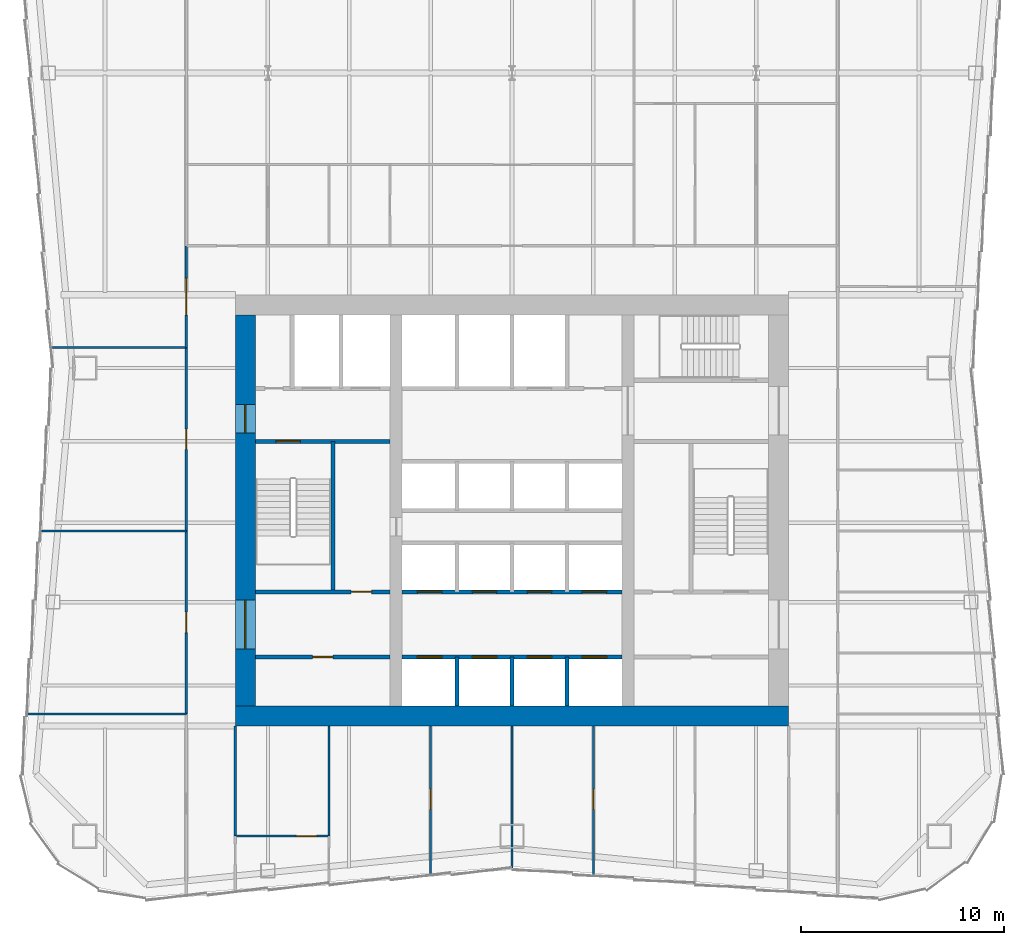
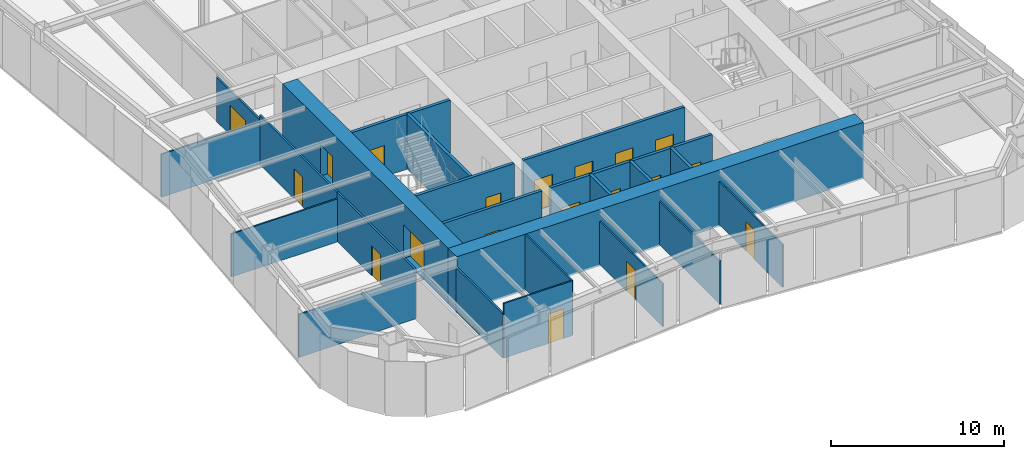
# One storey, part 4 of 8: 23 walls, 19 doors, 19 openings.
"""IFC4 building model written with IfcOpenShell, lengths in metres."""

from ifc_helpers import new_model, si_unit, direction, frame, frame_2d, origin, place, context, subcontext, project, spatial, rectangle, extrude, material, layer, layer_set, type_object, element, fill, save


model = new_model("IFC4")

# Units and contexts
model_context = context("Model", 3, precision=1e-05, world=origin(), true_north=direction((0.0, 1.0)))
body_context = subcontext(model_context, "Body", "Model", "MODEL_VIEW")
ifc_project = project(units=[si_unit("LENGTHUNIT", "METRE"), si_unit("AREAUNIT", "SQUARE_METRE"), si_unit("VOLUMEUNIT", "CUBIC_METRE"), si_unit("PLANEANGLEUNIT", "RADIAN"), si_unit("MASSUNIT", "GRAM", prefix="KILO")], contexts=[model_context])

# Site, building, storey
site_placement = place(None, origin())
site = spatial("IfcSite", under=ifc_project, at=site_placement, CompositionType="ELEMENT")
building_placement = place(site_placement, origin())
building = spatial("IfcBuilding", under=site, at=building_placement, Name="Verdant Reach Tower", CompositionType="ELEMENT")
storey_placement = place(building_placement, frame((0.0, 0.0, 158.0)))
storey = spatial("IfcBuildingStorey", under=building, at=storey_placement, Name="L36", CompositionType="ELEMENT", Elevation=158.0)

# Wall, opening, door
ifc_material_1 = material(Name="Gypsum board on steel studs", Category="steel")
ifc_layer_1 = layer(ifc_material_1, 0.199951171875)
ifc_layer_set_1 = layer_set([ifc_layer_1], Name="CO-WALL-ROOM")
wall_type_1 = type_object("IfcWallType", Name="CO-WALL-ROOM", PredefinedType="PARTITIONING", material=ifc_layer_set_1)
wall_1_placement = place(storey_placement, frame((-12.60009765625, 20.800048828125, 0.0), z_axis=(0.0, 0.0, 1.0), x_axis=(1.0, 0.0, 0.0)))
wall_1 = element("IfcWall", 1, at=wall_1_placement, inside=storey, type_object=wall_type_1, Name="Core partition, L36", PredefinedType="PARTITIONING", context=body_context, shape_type="SweptSolid", body=[
    extrude(rectangle(XDim=6.60009765625, YDim=0.199951171875, at=frame_2d((3.300048828125, 0.0))), origin(), (0.0, 0.0, 1.0), 3.8701171875),
])
opening_1_placement = place(wall_1_placement, frame((2.800048828125, 0.0, 0.0)))
opening_1 = element("IfcOpeningElement", 2, at=opening_1_placement, cuts=wall_1, Name="Opening CD", PredefinedType="OPENING", context=body_context, shape_type="SweptSolid", body=[
    extrude(rectangle(XDim=1.0, YDim=2.10009765625, at=frame_2d((0.5, 1.050048828125))), frame((0.0, 0.10986328125, 0.0), z_axis=(0.0, -1.0, 0.0), x_axis=(1.0, 0.0, 0.0)), (0.0, 0.0, 1.0), 0.219970703125),
])
ifc_material_2 = material(Name="Timber", Category="wood")
door_type_1 = type_object("IfcDoorType", Name="CO-DOOR-ROOM", OperationType="NOTDEFINED", PredefinedType="DOOR", material=ifc_material_2)
door_1_placement = place(opening_1_placement, origin())
door_1 = element("IfcDoor", 3, at=door_1_placement, inside=storey, type_object=door_type_1, Name="Core room door, L36", OperationType="SINGLE_SWING_LEFT", OverallHeight=2.10009765625, OverallWidth=1.0, PredefinedType="DOOR", context=body_context, shape_type="SweptSolid", body=[
    extrude(rectangle(XDim=1.0, YDim=2.10009765625, at=frame_2d((0.5, 1.050048828125))), frame((0.0, 0.02490234375, 0.0), z_axis=(0.0, -1.0, 0.0), x_axis=(1.0, 0.0, 0.0)), (0.0, 0.0, 1.0), 0.050048828125),
])
fill(opening_1, door_1)

# Wall, openings, doors
ifc_material_3 = material(Name="Concrete C40/50", Category="concrete")
ifc_layer_2 = layer(ifc_material_3, 0.199951171875)
ifc_layer_set_2 = layer_set([ifc_layer_2], Name="CO-WALL-SHAFT")
wall_type_2 = type_object("IfcWallType", Name="CO-WALL-SHAFT", PredefinedType="PARTITIONING", material=ifc_layer_set_2)
wall_2_placement = place(storey_placement, frame((-5.39990234375, 20.800048828125, 0.0), z_axis=(0.0, 0.0, 1.0), x_axis=(1.0, 0.0, 0.0)))
wall_2 = element("IfcWall", 4, at=wall_2_placement, inside=storey, type_object=wall_type_2, Name="Lift shaft wall, L36", PredefinedType="PARTITIONING", context=body_context, shape_type="SweptSolid", body=[
    extrude(rectangle(XDim=10.7998046875, YDim=0.199951171875, at=frame_2d((5.39990234375, 0.0))), origin(), (0.0, 0.0, 1.0), 3.8701171875),
])
opening_2_placement = place(wall_2_placement, frame((0.75, 0.0, 0.0)))
opening_2 = element("IfcOpeningElement", 5, at=opening_2_placement, cuts=wall_2, Name="Opening LD-A1", PredefinedType="OPENING", context=body_context, shape_type="SweptSolid", body=[
    extrude(rectangle(XDim=1.199951171875, YDim=2.199951171875, at=frame_2d((0.60009765625, 1.10009765625))), frame((0.0, 0.10986328125, 0.0), z_axis=(0.0, -1.0, 0.0), x_axis=(1.0, 0.0, 0.0)), (0.0, 0.0, 1.0), 0.219970703125),
])
opening_3_placement = place(wall_2_placement, frame((3.449951171875, 0.0, 0.0)))
opening_3 = element("IfcOpeningElement", 6, at=opening_3_placement, cuts=wall_2, Name="Opening LD-A2", PredefinedType="OPENING", context=body_context, shape_type="SweptSolid", body=[
    extrude(rectangle(XDim=1.199951171875, YDim=2.199951171875, at=frame_2d((0.60009765625, 1.10009765625))), frame((0.0, 0.10986328125, 0.0), z_axis=(0.0, -1.0, 0.0), x_axis=(1.0, 0.0, 0.0)), (0.0, 0.0, 1.0), 0.219970703125),
])
opening_4_placement = place(wall_2_placement, frame((6.14990234375, 0.0, 0.0)))
opening_4 = element("IfcOpeningElement", 7, at=opening_4_placement, cuts=wall_2, Name="Opening LD-A3", PredefinedType="OPENING", context=body_context, shape_type="SweptSolid", body=[
    extrude(rectangle(XDim=1.199951171875, YDim=2.199951171875, at=frame_2d((0.60009765625, 1.10009765625))), frame((0.0, 0.10986328125, 0.0), z_axis=(0.0, -1.0, 0.0), x_axis=(1.0, 0.0, 0.0)), (0.0, 0.0, 1.0), 0.219970703125),
])
opening_5_placement = place(wall_2_placement, frame((8.85009765625, 0.0, 0.0)))
opening_5 = element("IfcOpeningElement", 8, at=opening_5_placement, cuts=wall_2, Name="Opening LD-A4", PredefinedType="OPENING", context=body_context, shape_type="SweptSolid", body=[
    extrude(rectangle(XDim=1.199951171875, YDim=2.199951171875, at=frame_2d((0.60009765625, 1.10009765625))), frame((0.0, 0.10986328125, 0.0), z_axis=(0.0, -1.0, 0.0), x_axis=(1.0, 0.0, 0.0)), (0.0, 0.0, 1.0), 0.219970703125),
])
ifc_material_4 = material(Name="Stainless steel", Category="steel")
door_type_2 = type_object("IfcDoorType", Name="CO-DOOR-LANDING", OperationType="SLIDING_TO_LEFT", PredefinedType="DOOR", material=ifc_material_4)
door_2_placement = place(opening_2_placement, origin())
door_2 = element("IfcDoor", 9, at=door_2_placement, inside=storey, type_object=door_type_2, Name="Landing door A1, L36", OperationType="SLIDING_TO_LEFT", OverallHeight=2.199951171875, OverallWidth=1.199951171875, PredefinedType="DOOR", context=body_context, shape_type="SweptSolid", body=[
    extrude(rectangle(XDim=1.199951171875, YDim=2.199951171875, at=frame_2d((0.60009765625, 1.10009765625))), frame((0.0, 0.02490234375, 0.0), z_axis=(0.0, -1.0, 0.0), x_axis=(1.0, 0.0, 0.0)), (0.0, 0.0, 1.0), 0.050048828125),
])
fill(opening_2, door_2)
door_3_placement = place(opening_3_placement, origin())
door_3 = element("IfcDoor", 10, at=door_3_placement, inside=storey, type_object=door_type_2, Name="Landing door A2, L36", OperationType="SLIDING_TO_LEFT", OverallHeight=2.199951171875, OverallWidth=1.199951171875, PredefinedType="DOOR", context=body_context, shape_type="SweptSolid", body=[
    extrude(rectangle(XDim=1.199951171875, YDim=2.199951171875, at=frame_2d((0.60009765625, 1.10009765625))), frame((0.0, 0.02490234375, 0.0), z_axis=(0.0, -1.0, 0.0), x_axis=(1.0, 0.0, 0.0)), (0.0, 0.0, 1.0), 0.050048828125),
])
fill(opening_3, door_3)
door_4_placement = place(opening_4_placement, origin())
door_4 = element("IfcDoor", 11, at=door_4_placement, inside=storey, type_object=door_type_2, Name="Landing door A3, L36", OperationType="SLIDING_TO_LEFT", OverallHeight=2.199951171875, OverallWidth=1.199951171875, PredefinedType="DOOR", context=body_context, shape_type="SweptSolid", body=[
    extrude(rectangle(XDim=1.199951171875, YDim=2.199951171875, at=frame_2d((0.60009765625, 1.10009765625))), frame((0.0, 0.02490234375, 0.0), z_axis=(0.0, -1.0, 0.0), x_axis=(1.0, 0.0, 0.0)), (0.0, 0.0, 1.0), 0.050048828125),
])
fill(opening_4, door_4)
door_5_placement = place(opening_5_placement, origin())
door_5 = element("IfcDoor", 12, at=door_5_placement, inside=storey, type_object=door_type_2, Name="Landing door A4, L36", OperationType="SLIDING_TO_LEFT", OverallHeight=2.199951171875, OverallWidth=1.199951171875, PredefinedType="DOOR", context=body_context, shape_type="SweptSolid", body=[
    extrude(rectangle(XDim=1.199951171875, YDim=2.199951171875, at=frame_2d((0.60009765625, 1.10009765625))), frame((0.0, 0.02490234375, 0.0), z_axis=(0.0, -1.0, 0.0), x_axis=(1.0, 0.0, 0.0)), (0.0, 0.0, 1.0), 0.050048828125),
])
fill(opening_5, door_5)

wall_3_placement = place(storey_placement, frame((-5.39990234375, 24.0, 0.0), z_axis=(0.0, 0.0, 1.0), x_axis=(1.0, 0.0, 0.0)))
wall_3 = element("IfcWall", 13, at=wall_3_placement, inside=storey, type_object=wall_type_2, Name="Lift shaft wall, L36", PredefinedType="PARTITIONING", context=body_context, shape_type="SweptSolid", body=[
    extrude(rectangle(XDim=10.7998046875, YDim=0.199951171875, at=frame_2d((5.39990234375, 0.0))), origin(), (0.0, 0.0, 1.0), 3.8701171875),
])
opening_6_placement = place(wall_3_placement, frame((0.75, 0.0, 0.0)))
opening_6 = element("IfcOpeningElement", 14, at=opening_6_placement, cuts=wall_3, Name="Opening LD-A5", PredefinedType="OPENING", context=body_context, shape_type="SweptSolid", body=[
    extrude(rectangle(XDim=1.199951171875, YDim=2.199951171875, at=frame_2d((0.60009765625, 1.10009765625))), frame((0.0, 0.10986328125, 0.0), z_axis=(0.0, -1.0, 0.0), x_axis=(1.0, 0.0, 0.0)), (0.0, 0.0, 1.0), 0.219970703125),
])
opening_7_placement = place(wall_3_placement, frame((3.449951171875, 0.0, 0.0)))
opening_7 = element("IfcOpeningElement", 15, at=opening_7_placement, cuts=wall_3, Name="Opening LD-A6", PredefinedType="OPENING", context=body_context, shape_type="SweptSolid", body=[
    extrude(rectangle(XDim=1.199951171875, YDim=2.199951171875, at=frame_2d((0.60009765625, 1.10009765625))), frame((0.0, 0.10986328125, 0.0), z_axis=(0.0, -1.0, 0.0), x_axis=(1.0, 0.0, 0.0)), (0.0, 0.0, 1.0), 0.219970703125),
])
opening_8_placement = place(wall_3_placement, frame((6.14990234375, 0.0, 0.0)))
opening_8 = element("IfcOpeningElement", 16, at=opening_8_placement, cuts=wall_3, Name="Opening LD-A7", PredefinedType="OPENING", context=body_context, shape_type="SweptSolid", body=[
    extrude(rectangle(XDim=1.199951171875, YDim=2.199951171875, at=frame_2d((0.60009765625, 1.10009765625))), frame((0.0, 0.10986328125, 0.0), z_axis=(0.0, -1.0, 0.0), x_axis=(1.0, 0.0, 0.0)), (0.0, 0.0, 1.0), 0.219970703125),
])
opening_9_placement = place(wall_3_placement, frame((8.85009765625, 0.0, 0.0)))
opening_9 = element("IfcOpeningElement", 17, at=opening_9_placement, cuts=wall_3, Name="Opening LD-A8", PredefinedType="OPENING", context=body_context, shape_type="SweptSolid", body=[
    extrude(rectangle(XDim=1.199951171875, YDim=2.199951171875, at=frame_2d((0.60009765625, 1.10009765625))), frame((0.0, 0.10986328125, 0.0), z_axis=(0.0, -1.0, 0.0), x_axis=(1.0, 0.0, 0.0)), (0.0, 0.0, 1.0), 0.219970703125),
])
door_6_placement = place(opening_6_placement, origin())
door_6 = element("IfcDoor", 18, at=door_6_placement, inside=storey, type_object=door_type_2, Name="Landing door A5, L36", OperationType="SLIDING_TO_LEFT", OverallHeight=2.199951171875, OverallWidth=1.199951171875, PredefinedType="DOOR", context=body_context, shape_type="SweptSolid", body=[
    extrude(rectangle(XDim=1.199951171875, YDim=2.199951171875, at=frame_2d((0.60009765625, 1.10009765625))), frame((0.0, 0.02490234375, 0.0), z_axis=(0.0, -1.0, 0.0), x_axis=(1.0, 0.0, 0.0)), (0.0, 0.0, 1.0), 0.050048828125),
])
fill(opening_6, door_6)
door_7_placement = place(opening_7_placement, origin())
door_7 = element("IfcDoor", 19, at=door_7_placement, inside=storey, type_object=door_type_2, Name="Landing door A6, L36", OperationType="SLIDING_TO_LEFT", OverallHeight=2.199951171875, OverallWidth=1.199951171875, PredefinedType="DOOR", context=body_context, shape_type="SweptSolid", body=[
    extrude(rectangle(XDim=1.199951171875, YDim=2.199951171875, at=frame_2d((0.60009765625, 1.10009765625))), frame((0.0, 0.02490234375, 0.0), z_axis=(0.0, -1.0, 0.0), x_axis=(1.0, 0.0, 0.0)), (0.0, 0.0, 1.0), 0.050048828125),
])
fill(opening_7, door_7)
door_8_placement = place(opening_8_placement, origin())
door_8 = element("IfcDoor", 20, at=door_8_placement, inside=storey, type_object=door_type_2, Name="Landing door A7, L36", OperationType="SLIDING_TO_LEFT", OverallHeight=2.199951171875, OverallWidth=1.199951171875, PredefinedType="DOOR", context=body_context, shape_type="SweptSolid", body=[
    extrude(rectangle(XDim=1.199951171875, YDim=2.199951171875, at=frame_2d((0.60009765625, 1.10009765625))), frame((0.0, 0.02490234375, 0.0), z_axis=(0.0, -1.0, 0.0), x_axis=(1.0, 0.0, 0.0)), (0.0, 0.0, 1.0), 0.050048828125),
])
fill(opening_8, door_8)
door_9_placement = place(opening_9_placement, origin())
door_9 = element("IfcDoor", 21, at=door_9_placement, inside=storey, type_object=door_type_2, Name="Landing door A8, L36", OperationType="SLIDING_TO_LEFT", OverallHeight=2.199951171875, OverallWidth=1.199951171875, PredefinedType="DOOR", context=body_context, shape_type="SweptSolid", body=[
    extrude(rectangle(XDim=1.199951171875, YDim=2.199951171875, at=frame_2d((0.60009765625, 1.10009765625))), frame((0.0, 0.02490234375, 0.0), z_axis=(0.0, -1.0, 0.0), x_axis=(1.0, 0.0, 0.0)), (0.0, 0.0, 1.0), 0.050048828125),
])
fill(opening_9, door_9)

# Walls
for number, where, z_axis, x_axis, name in (
    (22, (-2.699951171875, 18.39990234375, 0.0), (0.0, 0.0, 1.0), (0.0, 1.0, 0.0), "Lift shaft wall, L36"),
    (23, (0.0, 18.39990234375, 0.0), (0.0, 0.0, 1.0), (0.0, 1.0, 0.0), "Lift shaft wall, L36"),
    (24, (2.699951171875, 18.39990234375, 0.0), (0.0, 0.0, 1.0), (0.0, 1.0, 0.0), "Lift shaft wall, L36"),
):
    element("IfcWall", number, at=place(storey_placement, frame(where, z_axis=z_axis, x_axis=x_axis)), inside=storey, type_object=wall_type_2, Name=name, PredefinedType="PARTITIONING", context=body_context, shape_type="SweptSolid", body=[
        extrude(rectangle(XDim=2.400146484375, YDim=0.199951171875, at=frame_2d((1.2001953125, 0.0))), origin(), (0.0, 0.0, 1.0), 3.8701171875),
    ])

# Wall, opening, door
ifc_layer_3 = layer(ifc_material_3, 0.199951171875)
ifc_layer_set_3 = layer_set([ifc_layer_3], Name="CO-WALL-STAIR")
wall_type_3 = type_object("IfcWallType", Name="CO-WALL-STAIR", PredefinedType="PARTITIONING", material=ifc_layer_set_3)
wall_4_placement = place(storey_placement, frame((-12.60009765625, 24.0, 0.0), z_axis=(0.0, 0.0, 1.0), x_axis=(1.0, 0.0, 0.0)))
wall_4 = element("IfcWall", 25, at=wall_4_placement, inside=storey, type_object=wall_type_3, Name="Stair enclosure wall, L36", PredefinedType="PARTITIONING", context=body_context, shape_type="SweptSolid", body=[
    extrude(rectangle(XDim=6.60009765625, YDim=0.199951171875, at=frame_2d((3.300048828125, 0.0))), origin(), (0.0, 0.0, 1.0), 3.8701171875),
])
opening_10_placement = place(wall_4_placement, frame((4.699951171875, 0.0, 0.0)))
opening_10 = element("IfcOpeningElement", 26, at=opening_10_placement, cuts=wall_4, Name="Opening CD", PredefinedType="OPENING", context=body_context, shape_type="SweptSolid", body=[
    extrude(rectangle(XDim=1.0, YDim=2.10009765625, at=frame_2d((0.5, 1.050048828125))), frame((0.0, 0.10986328125, 0.0), z_axis=(0.0, -1.0, 0.0), x_axis=(1.0, 0.0, 0.0)), (0.0, 0.0, 1.0), 0.219970703125),
])
door_10_placement = place(opening_10_placement, origin())
door_10 = element("IfcDoor", 27, at=door_10_placement, inside=storey, type_object=door_type_1, Name="Core room door, L36", OperationType="SINGLE_SWING_RIGHT", OverallHeight=2.10009765625, OverallWidth=1.0, PredefinedType="DOOR", context=body_context, shape_type="SweptSolid", body=[
    extrude(rectangle(XDim=1.0, YDim=2.10009765625, at=frame_2d((0.5, 1.050048828125))), frame((0.0, 0.02490234375, 0.0), z_axis=(0.0, -1.0, 0.0), x_axis=(1.0, 0.0, 0.0)), (0.0, 0.0, 1.0), 0.050048828125),
])
fill(opening_10, door_10)

wall_5_placement = place(storey_placement, frame((-12.60009765625, 31.39990234375, 0.0), z_axis=(0.0, 0.0, 1.0), x_axis=(1.0, 0.0, 0.0)))
wall_5 = element("IfcWall", 28, at=wall_5_placement, inside=storey, type_object=wall_type_3, Name="Stair enclosure wall, L36", PredefinedType="PARTITIONING", context=body_context, shape_type="SweptSolid", body=[
    extrude(rectangle(XDim=6.60009765625, YDim=0.199951171875, at=frame_2d((3.300048828125, 0.0))), origin(), (0.0, 0.0, 1.0), 3.8701171875),
])
opening_11_placement = place(wall_5_placement, frame((1.0, 0.0, 0.0)))
opening_11 = element("IfcOpeningElement", 29, at=opening_11_placement, cuts=wall_5, Name="Opening SD", PredefinedType="OPENING", context=body_context, shape_type="SweptSolid", body=[
    extrude(rectangle(XDim=1.199951171875, YDim=2.199951171875, at=frame_2d((0.60009765625, 1.10009765625))), frame((0.0, 0.10986328125, 0.0), z_axis=(0.0, -1.0, 0.0), x_axis=(1.0, 0.0, 0.0)), (0.0, 0.0, 1.0), 0.219970703125),
])
ifc_material_5 = material(Name="Steel", Category="steel")
door_type_3 = type_object("IfcDoorType", Name="CO-DOOR-STAIR", OperationType="NOTDEFINED", PredefinedType="DOOR", material=ifc_material_5)
door_11_placement = place(opening_11_placement, origin())
door_11 = element("IfcDoor", 30, at=door_11_placement, inside=storey, type_object=door_type_3, Name="Stair door, L36", OperationType="SINGLE_SWING_RIGHT", OverallHeight=2.199951171875, OverallWidth=1.199951171875, PredefinedType="DOOR", context=body_context, shape_type="SweptSolid", body=[
    extrude(rectangle(XDim=1.199951171875, YDim=2.199951171875, at=frame_2d((0.60009765625, 1.10009765625))), frame((0.0, 0.02490234375, 0.0), z_axis=(0.0, -1.0, 0.0), x_axis=(1.0, 0.0, 0.0)), (0.0, 0.0, 1.0), 0.050048828125),
])
fill(opening_11, door_11)

# Walls
wall_6_placement = place(storey_placement, frame((-8.800048828125, 24.0, 0.0), z_axis=(0.0, 0.0, 1.0), x_axis=(0.0, 1.0, 0.0)))
element("IfcWall", 31, at=wall_6_placement, inside=storey, type_object=wall_type_3, Name="Stair enclosure wall, L36", PredefinedType="PARTITIONING", context=body_context, shape_type="SweptSolid", body=[
    extrude(rectangle(XDim=7.39990234375, YDim=0.199951171875, at=frame_2d((3.699951171875, 0.0))), origin(), (0.0, 0.0, 1.0), 3.8701171875),
])
ifc_layer_4 = layer(ifc_material_1, 0.10009765625)
ifc_layer_set_4 = layer_set([ifc_layer_4], Name="FL-W1 Partition 100")
wall_type_4 = type_object("IfcWallType", Name="FL-W1 Partition 100", PredefinedType="PARTITIONING", material=ifc_layer_set_4)
wall_7_placement = place(storey_placement, frame((-16.0, 18.0, 0.0), z_axis=(0.0, 0.0, 1.0), x_axis=(-1.0, 0.0, 0.0)))
element("IfcWall", 32, at=wall_7_placement, inside=storey, type_object=wall_type_4, Name="Partition 36.22", PredefinedType="PARTITIONING", context=body_context, shape_type="SweptSolid", body=[
    extrude(rectangle(XDim=7.85498046875, YDim=0.10009765625, at=frame_2d((3.927490234375, 0.0))), origin(), (0.0, 0.0, 1.0), 3.0400390625),
])
wall_8_placement = place(storey_placement, frame((-16.0, 27.0, 0.0), z_axis=(0.0, 0.0, 1.0), x_axis=(-1.0, 0.0, 0.0)))
element("IfcWall", 33, at=wall_8_placement, inside=storey, type_object=wall_type_4, Name="Partition 36.23", PredefinedType="PARTITIONING", context=body_context, shape_type="SweptSolid", body=[
    extrude(rectangle(XDim=7.179931640625, YDim=0.10009765625, at=frame_2d((3.58984375, 0.0))), origin(), (0.0, 0.0, 1.0), 3.0400390625),
])
wall_9_placement = place(storey_placement, frame((-16.0, 36.0, 0.0), z_axis=(0.0, 0.0, 1.0), x_axis=(-1.0, 0.0, 0.0)))
element("IfcWall", 34, at=wall_9_placement, inside=storey, type_object=wall_type_4, Name="Partition 36.24", PredefinedType="PARTITIONING", context=body_context, shape_type="SweptSolid", body=[
    extrude(rectangle(XDim=6.655029296875, YDim=0.10009765625, at=frame_2d((3.32763671875, 0.0))), origin(), (0.0, 0.0, 1.0), 3.0400390625),
])

# Wall, opening, door
wall_10_placement = place(storey_placement, frame((-13.60009765625, 12.0, 0.0), z_axis=(0.0, 0.0, 1.0), x_axis=(1.0, 0.0, 0.0)))
wall_10 = element("IfcWall", 35, at=wall_10_placement, inside=storey, type_object=wall_type_4, Name="Partition 36.37", PredefinedType="PARTITIONING", context=body_context, shape_type="SweptSolid", body=[
    extrude(rectangle(XDim=4.60009765625, YDim=0.10009765625, at=frame_2d((2.300048828125, 0.0))), origin(), (0.0, 0.0, 1.0), 3.8701171875),
])
opening_12_placement = place(wall_10_placement, frame((3.0, 0.0, 0.0)))
opening_12 = element("IfcOpeningElement", 36, at=opening_12_placement, cuts=wall_10, Name="Opening D3", PredefinedType="OPENING", context=body_context, shape_type="SweptSolid", body=[
    extrude(rectangle(XDim=1.0, YDim=2.10009765625, at=frame_2d((0.5, 1.050048828125))), frame((0.0, 0.06005859375, 0.0), z_axis=(0.0, -1.0, 0.0), x_axis=(1.0, 0.0, 0.0)), (0.0, 0.0, 1.0), 0.1201171875),
])
ifc_material_6 = material(Name="Painted timber door leaf", Category="wood")
door_type_4 = type_object("IfcDoorType", Name="FL-D3 Door 1000x2100", OperationType="NOTDEFINED", PredefinedType="DOOR", material=ifc_material_6)
door_12_placement = place(opening_12_placement, origin())
door_12 = element("IfcDoor", 37, at=door_12_placement, inside=storey, type_object=door_type_4, Name="Door 36-017", OperationType="SINGLE_SWING_RIGHT", OverallHeight=2.10009765625, OverallWidth=1.0, PredefinedType="DOOR", context=body_context, shape_type="SweptSolid", body=[
    extrude(rectangle(XDim=1.0, YDim=2.10009765625, at=frame_2d((0.5, 1.050048828125))), frame((0.0, 0.02490234375, 0.0), z_axis=(0.0, -1.0, 0.0), x_axis=(1.0, 0.0, 0.0)), (0.0, 0.0, 1.0), 0.050048828125),
])
fill(opening_12, door_12)

# Wall
wall_11_placement = place(storey_placement, frame((-9.0, 11.99609375, 0.0), z_axis=(0.0, 0.0, 1.0), x_axis=(0.0, 1.0, 0.0)))
element("IfcWall", 38, at=wall_11_placement, inside=storey, type_object=wall_type_4, Name="Partition 36.39", PredefinedType="PARTITIONING", context=body_context, shape_type="SweptSolid", body=[
    extrude(rectangle(XDim=5.40380859375, YDim=0.10009765625, at=frame_2d((2.701904296875, 0.0))), origin(), (0.0, 0.0, 1.0), 3.8701171875),
])

# Wall, opening, door
wall_12_placement = place(storey_placement, frame((-4.0, 17.39990234375, 0.0), z_axis=(0.0, 0.0, 1.0), x_axis=(0.0, -1.0, 0.0)))
wall_12 = element("IfcWall", 39, at=wall_12_placement, inside=storey, type_object=wall_type_4, Name="Partition 36.40", PredefinedType="PARTITIONING", context=body_context, shape_type="SweptSolid", body=[
    extrude(rectangle(XDim=7.313232421875, YDim=0.10009765625, at=frame_2d((3.65673828125, 0.0))), origin(), (0.0, 0.0, 1.0), 3.0400390625),
])
opening_13_placement = place(wall_12_placement, frame((3.091552734375, 0.0, 0.0)))
opening_13 = element("IfcOpeningElement", 40, at=opening_13_placement, cuts=wall_12, Name="Opening D3", PredefinedType="OPENING", context=body_context, shape_type="SweptSolid", body=[
    extrude(rectangle(XDim=1.0, YDim=2.10009765625, at=frame_2d((0.5, 1.050048828125))), frame((0.0, 0.06005859375, 0.0), z_axis=(0.0, -1.0, 0.0), x_axis=(1.0, 0.0, 0.0)), (0.0, 0.0, 1.0), 0.1201171875),
])
door_13_placement = place(opening_13_placement, origin())
door_13 = element("IfcDoor", 41, at=door_13_placement, inside=storey, type_object=door_type_4, Name="Door 36-019", OperationType="SINGLE_SWING_LEFT", OverallHeight=2.10009765625, OverallWidth=1.0, PredefinedType="DOOR", context=body_context, shape_type="SweptSolid", body=[
    extrude(rectangle(XDim=1.0, YDim=2.10009765625, at=frame_2d((0.5, 1.050048828125))), frame((0.0, 0.02490234375, 0.0), z_axis=(0.0, -1.0, 0.0), x_axis=(1.0, 0.0, 0.0)), (0.0, 0.0, 1.0), 0.050048828125),
])
fill(opening_13, door_13)

# Wall
wall_13_placement = place(storey_placement, frame((0.0, 10.419921875, 0.0), z_axis=(0.0, 0.0, 1.0), x_axis=(0.0, 1.0, 0.0)))
element("IfcWall", 42, at=wall_13_placement, inside=storey, type_object=wall_type_4, Name="Partition 36.41", PredefinedType="PARTITIONING", context=body_context, shape_type="SweptSolid", body=[
    extrude(rectangle(XDim=6.97998046875, YDim=0.10009765625, at=frame_2d((3.489990234375, 0.0))), origin(), (0.0, 0.0, 1.0), 3.0400390625),
])

# Wall, opening, door
wall_14_placement = place(storey_placement, frame((4.0, 10.086669921875, 0.0), z_axis=(0.0, 0.0, 1.0), x_axis=(0.0, 1.0, 0.0)))
wall_14 = element("IfcWall", 43, at=wall_14_placement, inside=storey, type_object=wall_type_4, Name="Partition 36.43", PredefinedType="PARTITIONING", context=body_context, shape_type="SweptSolid", body=[
    extrude(rectangle(XDim=7.313232421875, YDim=0.10009765625, at=frame_2d((3.65673828125, 0.0))), origin(), (0.0, 0.0, 1.0), 3.0400390625),
])
opening_14_placement = place(wall_14_placement, frame((3.2216796875, 0.0, 0.0)))
opening_14 = element("IfcOpeningElement", 44, at=opening_14_placement, cuts=wall_14, Name="Opening D3", PredefinedType="OPENING", context=body_context, shape_type="SweptSolid", body=[
    extrude(rectangle(XDim=1.0, YDim=2.10009765625, at=frame_2d((0.5, 1.050048828125))), frame((0.0, 0.06005859375, 0.0), z_axis=(0.0, -1.0, 0.0), x_axis=(1.0, 0.0, 0.0)), (0.0, 0.0, 1.0), 0.1201171875),
])
door_14_placement = place(opening_14_placement, origin())
door_14 = element("IfcDoor", 45, at=door_14_placement, inside=storey, type_object=door_type_4, Name="Door 36-021", OperationType="SINGLE_SWING_RIGHT", OverallHeight=2.10009765625, OverallWidth=1.0, PredefinedType="DOOR", context=body_context, shape_type="SweptSolid", body=[
    extrude(rectangle(XDim=1.0, YDim=2.10009765625, at=frame_2d((0.5, 1.050048828125))), frame((0.0, 0.02490234375, 0.0), z_axis=(0.0, -1.0, 0.0), x_axis=(1.0, 0.0, 0.0)), (0.0, 0.0, 1.0), 0.050048828125),
])
fill(opening_14, door_14)

ifc_material_7 = material(Name="Gypsum board on steel studs, fire rated", Category="steel")
ifc_layer_5 = layer(ifc_material_7, 0.125)
ifc_layer_set_5 = layer_set([ifc_layer_5], Name="FL-W2 Corridor wall 125")
wall_type_5 = type_object("IfcWallType", Name="FL-W2 Corridor wall 125", PredefinedType="PARTITIONING", material=ifc_layer_set_5)
wall_15_placement = place(storey_placement, frame((-16.0, 18.0, 0.0), z_axis=(0.0, 0.0, 1.0), x_axis=(0.0, 1.0, 0.0)))
wall_15 = element("IfcWall", 46, at=wall_15_placement, inside=storey, type_object=wall_type_5, Name="Partition 36.02", PredefinedType="PARTITIONING", context=body_context, shape_type="SweptSolid", body=[
    extrude(rectangle(XDim=9.0, YDim=0.125, at=frame_2d((4.5, 0.0))), origin(), (0.0, 0.0, 1.0), 3.47998046875),
])
opening_15_placement = place(wall_15_placement, frame((4.0, 0.0, 0.0)))
opening_15 = element("IfcOpeningElement", 47, at=opening_15_placement, cuts=wall_15, Name="Opening D2", PredefinedType="OPENING", context=body_context, shape_type="SweptSolid", body=[
    extrude(rectangle(XDim=1.0, YDim=2.10009765625, at=frame_2d((0.5, 1.050048828125))), frame((0.0, 0.072509765625, 0.0), z_axis=(0.0, -1.0, 0.0), x_axis=(1.0, 0.0, 0.0)), (0.0, 0.0, 1.0), 0.14501953125),
])
ifc_material_8 = material(Name="Timber door leaf, fire rated", Category="wood")
door_type_5 = type_object("IfcDoorType", Name="FL-D2 Entrance door 1000x2100 FD30", OperationType="NOTDEFINED", PredefinedType="DOOR", material=ifc_material_8)
door_15_placement = place(opening_15_placement, origin())
door_15 = element("IfcDoor", 48, at=door_15_placement, inside=storey, type_object=door_type_5, Name="Door 36-002", OperationType="SINGLE_SWING_RIGHT", OverallHeight=2.10009765625, OverallWidth=1.0, PredefinedType="DOOR", context=body_context, shape_type="SweptSolid", body=[
    extrude(rectangle(XDim=1.0, YDim=2.10009765625, at=frame_2d((0.5, 1.050048828125))), frame((0.0, 0.02490234375, 0.0), z_axis=(0.0, -1.0, 0.0), x_axis=(1.0, 0.0, 0.0)), (0.0, 0.0, 1.0), 0.050048828125),
])
fill(opening_15, door_15)

wall_16_placement = place(storey_placement, frame((-16.0, 27.0, 0.0), z_axis=(0.0, 0.0, 1.0), x_axis=(0.0, 1.0, 0.0)))
wall_16 = element("IfcWall", 49, at=wall_16_placement, inside=storey, type_object=wall_type_5, Name="Partition 36.03", PredefinedType="PARTITIONING", context=body_context, shape_type="SweptSolid", body=[
    extrude(rectangle(XDim=9.0, YDim=0.125, at=frame_2d((4.5, 0.0))), origin(), (0.0, 0.0, 1.0), 3.47998046875),
])
opening_16_placement = place(wall_16_placement, frame((4.0, 0.0, 0.0)))
opening_16 = element("IfcOpeningElement", 50, at=opening_16_placement, cuts=wall_16, Name="Opening D2", PredefinedType="OPENING", context=body_context, shape_type="SweptSolid", body=[
    extrude(rectangle(XDim=1.0, YDim=2.10009765625, at=frame_2d((0.5, 1.050048828125))), frame((0.0, 0.072509765625, 0.0), z_axis=(0.0, -1.0, 0.0), x_axis=(1.0, 0.0, 0.0)), (0.0, 0.0, 1.0), 0.14501953125),
])
door_16_placement = place(opening_16_placement, origin())
door_16 = element("IfcDoor", 51, at=door_16_placement, inside=storey, type_object=door_type_5, Name="Door 36-003", OperationType="SINGLE_SWING_LEFT", OverallHeight=2.10009765625, OverallWidth=1.0, PredefinedType="DOOR", context=body_context, shape_type="SweptSolid", body=[
    extrude(rectangle(XDim=1.0, YDim=2.10009765625, at=frame_2d((0.5, 1.050048828125))), frame((0.0, 0.02490234375, 0.0), z_axis=(0.0, -1.0, 0.0), x_axis=(1.0, 0.0, 0.0)), (0.0, 0.0, 1.0), 0.050048828125),
])
fill(opening_16, door_16)

wall_17_placement = place(storey_placement, frame((-16.0, 41.00390625, 0.0), z_axis=(0.0, 0.0, 1.0), x_axis=(0.0, -1.0, 0.0)))
wall_17 = element("IfcWall", 52, at=wall_17_placement, inside=storey, type_object=wall_type_5, Name="Partition 36.04", PredefinedType="PARTITIONING", context=body_context, shape_type="SweptSolid", body=[
    extrude(rectangle(XDim=5.00390625, YDim=0.125, at=frame_2d((2.501953125, 0.0))), origin(), (0.0, 0.0, 1.0), 3.139892578125),
])
opening_17_placement = place(wall_17_placement, frame((1.60205078125, 0.0, 0.0)))
opening_17 = element("IfcOpeningElement", 53, at=opening_17_placement, cuts=wall_17, Name="Opening D4", PredefinedType="OPENING", context=body_context, shape_type="SweptSolid", body=[
    extrude(rectangle(XDim=1.800048828125, YDim=2.10009765625, at=frame_2d((0.89990234375, 1.050048828125))), frame((0.0, 0.072509765625, 0.0), z_axis=(0.0, -1.0, 0.0), x_axis=(1.0, 0.0, 0.0)), (0.0, 0.0, 1.0), 0.14501953125),
])
ifc_material_9 = material(Name="Timber door leaves, fire rated", Category="wood")
door_type_6 = type_object("IfcDoorType", Name="FL-D4 Double door 1800x2100 FD30", OperationType="DOUBLE_DOOR_SINGLE_SWING", PredefinedType="DOOR", material=ifc_material_9)
door_17_placement = place(opening_17_placement, origin())
door_17 = element("IfcDoor", 54, at=door_17_placement, inside=storey, type_object=door_type_6, Name="Door 36-004", OperationType="DOUBLE_DOOR_SINGLE_SWING", OverallHeight=2.10009765625, OverallWidth=1.800048828125, PredefinedType="DOOR", context=body_context, shape_type="SweptSolid", body=[
    extrude(rectangle(XDim=1.800048828125, YDim=2.10009765625, at=frame_2d((0.89990234375, 1.050048828125))), frame((0.0, 0.02490234375, 0.0), z_axis=(0.0, -1.0, 0.0), x_axis=(1.0, 0.0, 0.0)), (0.0, 0.0, 1.0), 0.050048828125),
])
fill(opening_17, door_17)

# Walls
wall_18_placement = place(storey_placement, frame((-13.60009765625, 12.0, 0.0), z_axis=(0.0, 0.0, 1.0), x_axis=(0.0, 1.0, 0.0)))
element("IfcWall", 55, at=wall_18_placement, inside=storey, type_object=wall_type_5, Name="Partition 36.13", PredefinedType="PARTITIONING", context=body_context, shape_type="SweptSolid", body=[
    extrude(rectangle(XDim=5.39990234375, YDim=0.125, at=frame_2d((2.699951171875, 0.0))), origin(), (0.0, 0.0, 1.0), 3.139892578125),
])
ifc_material_10 = material(Name="Concrete C70/85", Category="concrete")
ifc_layer_6 = layer(ifc_material_10, 1.0)
ifc_layer_set_6 = layer_set([ifc_layer_6], Name="ST-CORE-WALL-1000")
wall_type_6 = type_object("IfcWallType", Name="ST-CORE-WALL-1000", PredefinedType="SHEAR", material=ifc_layer_set_6)
wall_19_placement = place(storey_placement, frame((-13.60009765625, 17.89990234375, -0.1298828125), z_axis=(0.0, 0.0, 1.0), x_axis=(1.0, 0.0, 0.0)))
element("IfcWall", 56, at=wall_19_placement, inside=storey, type_object=wall_type_6, Name="Core wall S, L36", PredefinedType="SHEAR", context=body_context, shape_type="SweptSolid", body=[
    extrude(rectangle(XDim=27.2001953125, YDim=1.0, at=frame_2d((13.60009765625, 0.0))), origin(), (0.0, 0.0, 1.0), 4.0),
])

# Wall, openings, doors
wall_20_placement = place(storey_placement, frame((-13.10009765625, 18.39990234375, -0.1298828125), z_axis=(0.0, 0.0, 1.0), x_axis=(0.0, 1.0, 0.0)))
wall_20 = element("IfcWall", 57, at=wall_20_placement, inside=storey, type_object=wall_type_6, Name="Core wall W, L36", PredefinedType="SHEAR", context=body_context, shape_type="SweptSolid", body=[
    extrude(rectangle(XDim=19.2001953125, YDim=1.0, at=frame_2d((9.60009765625, 0.0))), origin(), (0.0, 0.0, 1.0), 4.0),
])
opening_18_placement = place(wall_20_placement, frame((2.800048828125, 0.0, 0.1298828125)))
opening_18 = element("IfcOpeningElement", 58, at=opening_18_placement, cuts=wall_20, Name="Opening LB", PredefinedType="OPENING", context=body_context, shape_type="SweptSolid", body=[
    extrude(rectangle(XDim=2.39990234375, YDim=2.39990234375, at=frame_2d((1.199951171875, 1.199951171875))), frame((0.0, 0.510009765625, 0.0), z_axis=(0.0, -1.0, 0.0), x_axis=(1.0, 0.0, 0.0)), (0.0, 0.0, 1.0), 1.02001953125),
])
opening_19_placement = place(wall_20_placement, frame((13.39990234375, 0.0, 0.1298828125)))
opening_19 = element("IfcOpeningElement", 59, at=opening_19_placement, cuts=wall_20, Name="Opening FL", PredefinedType="OPENING", context=body_context, shape_type="SweptSolid", body=[
    extrude(rectangle(XDim=1.39990234375, YDim=2.199951171875, at=frame_2d((0.699951171875, 1.10009765625))), frame((0.0, 0.510009765625, 0.0), z_axis=(0.0, -1.0, 0.0), x_axis=(1.0, 0.0, 0.0)), (0.0, 0.0, 1.0), 1.02001953125),
])
door_type_7 = type_object("IfcDoorType", Name="CO-DOOR-FFL", OperationType="NOTDEFINED", PredefinedType="DOOR", material=ifc_material_5)
door_18_placement = place(opening_19_placement, origin())
door_18 = element("IfcDoor", 60, at=door_18_placement, inside=storey, type_object=door_type_7, Name="Core entrance door, L36", OperationType="SINGLE_SWING_RIGHT", OverallHeight=2.199951171875, OverallWidth=1.39990234375, PredefinedType="DOOR", context=body_context, shape_type="SweptSolid", body=[
    extrude(rectangle(XDim=1.39990234375, YDim=2.199951171875, at=frame_2d((0.699951171875, 1.10009765625))), frame((0.0, 0.02490234375, 0.0), z_axis=(0.0, -1.0, 0.0), x_axis=(1.0, 0.0, 0.0)), (0.0, 0.0, 1.0), 0.050048828125),
])
fill(opening_19, door_18)
ifc_material_11 = material(Name="Glass and steel", Category="steel")
door_type_8 = type_object("IfcDoorType", Name="CO-DOOR-LOBBY", OperationType="DOUBLE_DOOR_SINGLE_SWING", PredefinedType="DOOR", material=ifc_material_11)
door_19_placement = place(opening_18_placement, origin())
door_19 = element("IfcDoor", 61, at=door_19_placement, inside=storey, type_object=door_type_8, Name="Core entrance door, L36", OperationType="DOUBLE_DOOR_SINGLE_SWING", OverallHeight=2.39990234375, OverallWidth=2.39990234375, PredefinedType="DOOR", context=body_context, shape_type="SweptSolid", body=[
    extrude(rectangle(XDim=2.39990234375, YDim=2.39990234375, at=frame_2d((1.199951171875, 1.199951171875))), frame((0.0, 0.02490234375, 0.0), z_axis=(0.0, -1.0, 0.0), x_axis=(1.0, 0.0, 0.0)), (0.0, 0.0, 1.0), 0.050048828125),
])
fill(opening_18, door_19)

save(model, "model.ifc")
